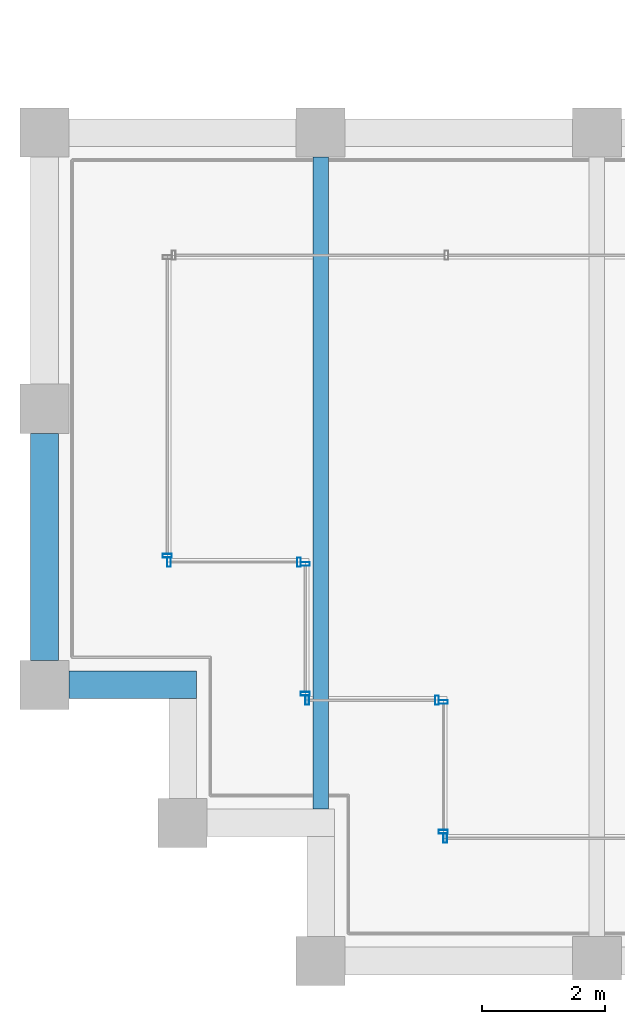
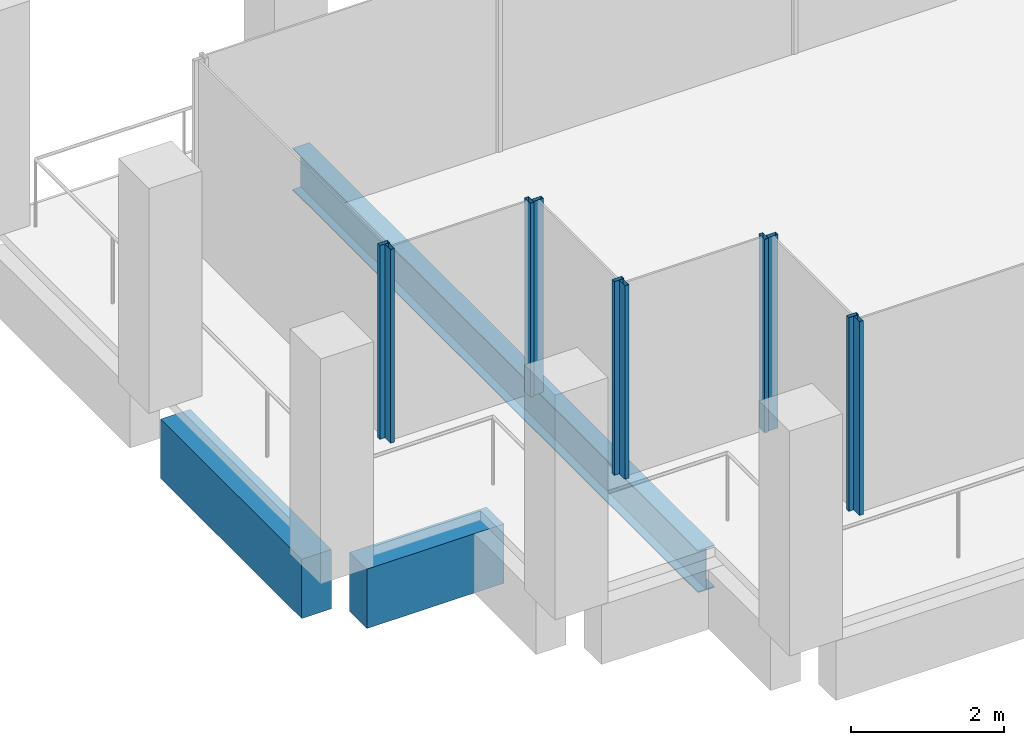
# One storey, part 2 of 40: 10 members, 3 beams, 6 elements without a shape of their own.
"""IFC4 building model written with IfcOpenShell, lengths in metres."""

import ifcopenshell
import ifcopenshell.guid

model = None  # the IFC model being written
_history = None  # IfcOwnerHistory: only IFC2X3 demands one
_inside = {}  # id of a spatial element -> (the spatial element, [elements in it])
_under = {}  # id of a project, library or spatial element -> (it, [spatial elements below it])
_declared = {}  # id of a project -> (the project, [libraries it declares])
_typed = {}  # id of a type object -> (the type object, [elements of that type])
_made_of = {}  # id of a material, layer set ... -> (it, [elements and type objects made of it])


def new_model(schema):
    """Start an empty IFC model of exactly this schema.

    Asked for "IFC4X3", IfcOpenShell would pick the latest addendum, in which some entities
    have other attributes; the version numbers below select the first issue.
    IFC2X3 requires an IfcOwnerHistory on every rooted entity: one is made here for all.
    """
    global model, _history
    if schema == "IFC4X3":
        model = ifcopenshell.file(schema_version=(4, 3, 0, 0))
    else:
        model = ifcopenshell.file(schema=schema)
    _inside.clear()
    _under.clear()
    _declared.clear()
    _typed.clear()
    _made_of.clear()
    _history = None
    if model.schema == "IFC2X3":
        org = make("IfcOrganization", Name="unknown")
        user = make(
            "IfcPersonAndOrganization",
            ThePerson=make("IfcPerson", FamilyName="unknown"),
            TheOrganization=org,
        )
        app = make(
            "IfcApplication",
            ApplicationDeveloper=org,
            Version="unknown",
            ApplicationFullName="unknown",
            ApplicationIdentifier="unknown",
        )
        _history = make(
            "IfcOwnerHistory",
            OwningUser=user,
            OwningApplication=app,
            ChangeAction="ADDED",
            CreationDate=0,
        )
    return model


def make(cls, **values):
    """One entity of the class cls with the attributes given. An attribute that is None is left unset."""
    return model.create_entity(
        cls, **{name: value for name, value in values.items() if value is not None}
    )


def rooted(cls, **values):
    """An entity with a GlobalId (a new one), such as an element, a storey or a relation."""
    return make(cls, GlobalId=ifcopenshell.guid.new(), OwnerHistory=_history, **values)


def si_unit(unit_type, name, prefix=None):
    """IfcSIUnit, for example si_unit("LENGTHUNIT", "METRE", prefix="MILLI")."""
    return make("IfcSIUnit", UnitType=unit_type, Prefix=prefix, Name=name)


def assignment(units):
    """IfcUnitAssignment: the units of a project."""
    return None if units is None else make("IfcUnitAssignment", Units=units)


def point(xyz):
    """IfcCartesianPoint."""
    return None if xyz is None else make("IfcCartesianPoint", Coordinates=xyz)


def direction(xyz):
    """IfcDirection."""
    return None if xyz is None else make("IfcDirection", DirectionRatios=xyz)


def frame(location, z_axis=None, x_axis=None):
    """IfcAxis2Placement3D, a coordinate frame: its origin and axes. An axis left out is left unset."""
    return make(
        "IfcAxis2Placement3D",
        Location=point(location),
        Axis=direction(z_axis),
        RefDirection=direction(x_axis),
    )


def frame_2d(location, x_axis=None):
    """IfcAxis2Placement2D, a coordinate frame in the plane: its origin and x axis."""
    return make(
        "IfcAxis2Placement2D", Location=point(location), RefDirection=direction(x_axis)
    )


def origin():
    """The frame at (0, 0, 0) with its axes left unset."""
    return frame((0.0, 0.0, 0.0))


def origin_2d():
    """The frame at (0, 0) in the plane with its x axis left unset."""
    return frame_2d((0.0, 0.0))


def place(relative_to, where):
    """IfcLocalPlacement: puts the frame where relative to a parent placement (None: the world)."""
    return make(
        "IfcLocalPlacement", PlacementRelTo=relative_to, RelativePlacement=where
    )


def context(
    kind, dimensions, precision=None, world=None, true_north=None, identifier=None
):
    """IfcGeometricRepresentationContext, for example the 3D "Model" context."""
    return make(
        "IfcGeometricRepresentationContext",
        ContextIdentifier=identifier,
        ContextType=kind,
        CoordinateSpaceDimension=dimensions,
        Precision=precision,
        WorldCoordinateSystem=world,
        TrueNorth=true_north,
    )


def subcontext(parent, identifier, kind, view, scale=None):
    """IfcGeometricRepresentationSubContext, for example "Body" below "Model"."""
    return make(
        "IfcGeometricRepresentationSubContext",
        ContextIdentifier=identifier,
        ContextType=kind,
        ParentContext=parent,
        TargetScale=scale,
        TargetView=view,
    )


def project(units=None, contexts=None):
    """IfcProject with its units and contexts."""
    return rooted(
        "IfcProject",
        Name="project",
        RepresentationContexts=contexts,
        UnitsInContext=assignment(units),
    )


def spatial(cls, under=None, at=None, **own):
    """A site, building, storey or space (cls), placed at a placement, below another one or the project."""
    s = rooted(cls, ObjectPlacement=at, **own)
    if under is not None:
        _under.setdefault(under.id(), (under, []))[1].append(s)
    return s


def profile(cls, at=None, kind="AREA", **sizes):
    """A parametric profile (cls). Its sizes go by their IFC names, for example OverallWidth=200.0."""
    return make(cls, ProfileType=kind, Position=at, **sizes)


def rectangle(**sizes):
    """IfcRectangleProfileDef."""
    return profile("IfcRectangleProfileDef", **sizes)


def hollow_rectangle(**sizes):
    """IfcRectangleHollowProfileDef."""
    return profile("IfcRectangleHollowProfileDef", **sizes)


def i_section(**sizes):
    """IfcIShapeProfileDef."""
    return profile("IfcIShapeProfileDef", **sizes)


def extrude(swept, where, along, depth):
    """IfcExtrudedAreaSolid: the profile swept, set in the frame where, extruded along a direction by depth."""
    return make(
        "IfcExtrudedAreaSolid",
        SweptArea=swept,
        Position=where,
        ExtrudedDirection=direction(along),
        Depth=depth,
    )


def shape(context_of_items, identifier, shape_type, items):
    """IfcShapeRepresentation: the items that make up one representation, for example the "Body"."""
    return make(
        "IfcShapeRepresentation",
        ContextOfItems=context_of_items,
        RepresentationIdentifier=identifier,
        RepresentationType=shape_type,
        Items=items,
    )


def material(Name=None, Category=None):
    """IfcMaterial."""
    return make("IfcMaterial", Name=Name, Category=Category)


def material_profile(
    of_material, cross_section, Name=None, Category=None, Priority=None
):
    """IfcMaterialProfile: a cross section and its material."""
    return make(
        "IfcMaterialProfile",
        Name=Name,
        Material=of_material,
        Profile=cross_section,
        Priority=Priority,
        Category=Category,
    )


def profile_set(profiles, Name=None, composite=None):
    """IfcMaterialProfileSet."""
    return make(
        "IfcMaterialProfileSet",
        Name=Name,
        MaterialProfiles=profiles,
        CompositeProfile=composite,
    )


def made_of(thing, what):
    """Note that an element or type object is made of a material, layer set ...; save() writes the relation."""
    if what is not None:
        _made_of.setdefault(what.id(), (what, []))[1].append(thing)
    return thing


def type_object(cls, material=None, **own):
    """A type object (cls), such as IfcWallType, which elements share."""
    return made_of(rooted(cls, **own), material)


def element(
    cls,
    number,
    at=None,
    inside=None,
    cuts=None,
    type_object=None,
    material=None,
    context=None,
    identifier="Body",
    shape_type=None,
    held_by="IfcProductDefinitionShape",
    body=None,
    shapes=None,
    **own,
):
    """One element of the class cls, such as IfcWall. Its Tag is "e" and its number.

    at: its placement. inside: the storey or other place that contains it. cuts: it is an
    opening in that element (IfcRelVoidsElement). A single representation is given by context,
    identifier, shape_type and body (its items); several are given by shapes. held_by: the class
    of the entity that holds the representations. save() writes the other relations.
    """
    e = rooted(cls, Tag="e%d" % number, ObjectPlacement=at, **own)
    if body is not None:
        shapes = [shape(context, identifier, shape_type, body)]
    if shapes is not None:
        e.Representation = make(held_by, Representations=shapes)
    if inside is not None:
        _inside.setdefault(inside.id(), (inside, []))[1].append(e)
    if cuts is not None:
        rooted(
            "IfcRelVoidsElement", RelatingBuildingElement=cuts, RelatedOpeningElement=e
        )
    if type_object is not None:
        _typed.setdefault(type_object.id(), (type_object, []))[1].append(e)
    return made_of(e, material)


def aggregate(whole, parts):
    """IfcRelAggregates: a whole, such as a stair, and the parts it consists of."""
    return rooted("IfcRelAggregates", RelatingObject=whole, RelatedObjects=parts)


def save(model, path):
    """Write the relations noted so far, then the file.

    IfcRelAggregates (storeys below a building ...), IfcRelContainedInSpatialStructure (elements
    in a storey), IfcRelDefinesByType, IfcRelAssociatesMaterial and IfcRelDeclares: one each for
    every whole, place, type object, material and project.
    """
    for whole, parts in _under.values():
        aggregate(whole, parts)
    for where, things in _inside.values():
        rooted(
            "IfcRelContainedInSpatialStructure",
            RelatedElements=things,
            RelatingStructure=where,
        )
    for kind, things in _typed.values():
        rooted("IfcRelDefinesByType", RelatedObjects=things, RelatingType=kind)
    for what, things in _made_of.values():
        rooted("IfcRelAssociatesMaterial", RelatedObjects=things, RelatingMaterial=what)
    for by, libraries in _declared.values():
        rooted("IfcRelDeclares", RelatingContext=by, RelatedDefinitions=libraries)
    model.write(path)


model = new_model("IFC4")

# Units and contexts
model_context = context("Model", 3, precision=1e-05, world=origin(), true_north=direction((0.0, 1.0)))
body_context = subcontext(model_context, "Body", "Model", "MODEL_VIEW")
ifc_project = project(units=[si_unit("LENGTHUNIT", "METRE"), si_unit("AREAUNIT", "SQUARE_METRE"), si_unit("VOLUMEUNIT", "CUBIC_METRE"), si_unit("PLANEANGLEUNIT", "RADIAN"), si_unit("MASSUNIT", "GRAM", prefix="KILO")], contexts=[model_context])

# Site, building, storey
site_placement = place(None, origin())
site = spatial("IfcSite", under=ifc_project, at=site_placement, CompositionType="ELEMENT")
building_placement = place(site_placement, origin())
building = spatial("IfcBuilding", under=site, at=building_placement, Name="Altepetl Exchange Towers", CompositionType="ELEMENT")
storey_placement = place(building_placement, frame((0.0, 0.0, 199.199951171875)))
storey = spatial("IfcBuildingStorey", under=building, at=storey_placement, Name="L50", CompositionType="ELEMENT", Elevation=199.199951171875)

# Beam
ifc_material_1 = material(Name="Steel S355", Category="steel")
ifc_material_profile_1 = material_profile(ifc_material_1, i_section(OverallWidth=0.2529296875, OverallDepth=0.677978515625, WebThickness=0.01171875, FlangeThickness=0.016357421875, at=origin_2d()), Name="W27X84")
ifc_profile_set_1 = profile_set([ifc_material_profile_1], Name="Steel S355")
beam_type_1 = type_object("IfcBeamType", Name="Floor beam W27X84", PredefinedType="BEAM", material=ifc_profile_set_1)
beam_1_placement = place(storey_placement, frame((31.5, 29.47509765625, -0.489013671875), z_axis=(0.0, 1.0, 0.0), x_axis=(-1.0, 0.0, 0.0)))
element("IfcBeam", 1, at=beam_1_placement, inside=storey, type_object=beam_type_1, Name="bm:A:L50:012", PredefinedType="BEAM", context=body_context, shape_type="SweptSolid", body=[
    extrude(i_section(OverallWidth=0.2529296875, OverallDepth=0.677978515625, WebThickness=0.01171875, FlangeThickness=0.016357421875, at=origin_2d()), origin(), (0.0, 0.0, 1.0), 10.625),
])

# Curtain wall, member
ifc_material_2 = material(Name="Aluminium 6063-T6 glazing", Category="aluminium")
curtain_wall_type = type_object("IfcCurtainWallType", Name="Loggia glazing system", PredefinedType="NOTDEFINED", material=ifc_material_2)
curtain_wall_1_placement = place(storey_placement, origin())
curtain_wall_1 = element("IfcCurtainWall", 2, at=curtain_wall_1_placement, inside=storey, type_object=curtain_wall_type, Name="CW1 run", PredefinedType="NOTDEFINED")
ifc_material_3 = material(Name="Aluminium 6063-T6", Category="aluminium")
ifc_material_profile_2 = material_profile(ifc_material_3, hollow_rectangle(XDim=0.06005859375, YDim=0.14990234375, WallThickness=0.0029296875, at=origin_2d()), Name="Mullion 60x150 aluminium")
ifc_profile_set_2 = profile_set([ifc_material_profile_2], Name="Aluminium 6063-T6")
member_type = type_object("IfcMemberType", Name="Mullion 60x150 aluminium", PredefinedType="MULLION", material=ifc_profile_set_2)
member_1_placement = place(storey_placement, frame((29.0, 33.60498046875, 0.0), z_axis=(0.0, 0.0, 1.0), x_axis=(0.0, -1.0, 0.0)))
member_1 = element("IfcMember", 3, at=member_1_placement, type_object=member_type, Name="MU1 mullion", PredefinedType="MULLION", context=body_context, shape_type="SweptSolid", body=[
    extrude(hollow_rectangle(XDim=0.06005859375, YDim=0.14990234375, WallThickness=0.0029296875, at=origin_2d()), origin(), (0.0, 0.0, 1.0), 3.10009765625),
])
aggregate(curtain_wall_1, [member_1])

# Curtain wall, members
curtain_wall_2_placement = place(storey_placement, origin())
curtain_wall_2 = element("IfcCurtainWall", 4, at=curtain_wall_2_placement, inside=storey, type_object=curtain_wall_type, Name="CW1 run", PredefinedType="NOTDEFINED")
member_2_placement = place(storey_placement, frame((29.030029296875, 33.5, 0.0)))
member_2 = element("IfcMember", 5, at=member_2_placement, type_object=member_type, Name="MU1 mullion", PredefinedType="MULLION", context=body_context, shape_type="SweptSolid", body=[
    extrude(hollow_rectangle(XDim=0.06005859375, YDim=0.14990234375, WallThickness=0.0029296875, at=origin_2d()), origin(), (0.0, 0.0, 1.0), 3.10009765625),
])
member_3_placement = place(storey_placement, frame((31.14501953125, 33.5, 0.0)))
member_3 = element("IfcMember", 6, at=member_3_placement, type_object=member_type, Name="MU1 mullion", PredefinedType="MULLION", context=body_context, shape_type="SweptSolid", body=[
    extrude(hollow_rectangle(XDim=0.06005859375, YDim=0.14990234375, WallThickness=0.0029296875, at=origin_2d()), origin(), (0.0, 0.0, 1.0), 3.10009765625),
])
aggregate(curtain_wall_2, [member_2, member_3])

curtain_wall_3_placement = place(storey_placement, origin())
curtain_wall_3 = element("IfcCurtainWall", 7, at=curtain_wall_3_placement, inside=storey, type_object=curtain_wall_type, Name="CW1 run", PredefinedType="NOTDEFINED")
member_4_placement = place(storey_placement, frame((31.25, 33.469970703125, 0.0), z_axis=(0.0, 0.0, 1.0), x_axis=(0.0, -1.0, 0.0)))
member_4 = element("IfcMember", 8, at=member_4_placement, type_object=member_type, Name="MU1 mullion", PredefinedType="MULLION", context=body_context, shape_type="SweptSolid", body=[
    extrude(hollow_rectangle(XDim=0.06005859375, YDim=0.14990234375, WallThickness=0.0029296875, at=origin_2d()), origin(), (0.0, 0.0, 1.0), 3.10009765625),
])
member_5_placement = place(storey_placement, frame((31.25, 31.35498046875, 0.0), z_axis=(0.0, 0.0, 1.0), x_axis=(0.0, -1.0, 0.0)))
member_5 = element("IfcMember", 9, at=member_5_placement, type_object=member_type, Name="MU1 mullion", PredefinedType="MULLION", context=body_context, shape_type="SweptSolid", body=[
    extrude(hollow_rectangle(XDim=0.06005859375, YDim=0.14990234375, WallThickness=0.0029296875, at=origin_2d()), origin(), (0.0, 0.0, 1.0), 3.10009765625),
])
aggregate(curtain_wall_3, [member_4, member_5])

curtain_wall_4_placement = place(storey_placement, origin())
curtain_wall_4 = element("IfcCurtainWall", 10, at=curtain_wall_4_placement, inside=storey, type_object=curtain_wall_type, Name="CW1 run", PredefinedType="NOTDEFINED")
member_6_placement = place(storey_placement, frame((31.280029296875, 31.25, 0.0)))
member_6 = element("IfcMember", 11, at=member_6_placement, type_object=member_type, Name="MU1 mullion", PredefinedType="MULLION", context=body_context, shape_type="SweptSolid", body=[
    extrude(hollow_rectangle(XDim=0.06005859375, YDim=0.14990234375, WallThickness=0.0029296875, at=origin_2d()), origin(), (0.0, 0.0, 1.0), 3.10009765625),
])
member_7_placement = place(storey_placement, frame((33.39501953125, 31.25, 0.0)))
member_7 = element("IfcMember", 12, at=member_7_placement, type_object=member_type, Name="MU1 mullion", PredefinedType="MULLION", context=body_context, shape_type="SweptSolid", body=[
    extrude(hollow_rectangle(XDim=0.06005859375, YDim=0.14990234375, WallThickness=0.0029296875, at=origin_2d()), origin(), (0.0, 0.0, 1.0), 3.10009765625),
])
aggregate(curtain_wall_4, [member_6, member_7])

curtain_wall_5_placement = place(storey_placement, origin())
curtain_wall_5 = element("IfcCurtainWall", 13, at=curtain_wall_5_placement, inside=storey, type_object=curtain_wall_type, Name="CW1 run", PredefinedType="NOTDEFINED")
member_8_placement = place(storey_placement, frame((33.5, 31.219970703125, 0.0), z_axis=(0.0, 0.0, 1.0), x_axis=(0.0, -1.0, 0.0)))
member_8 = element("IfcMember", 14, at=member_8_placement, type_object=member_type, Name="MU1 mullion", PredefinedType="MULLION", context=body_context, shape_type="SweptSolid", body=[
    extrude(hollow_rectangle(XDim=0.06005859375, YDim=0.14990234375, WallThickness=0.0029296875, at=origin_2d()), origin(), (0.0, 0.0, 1.0), 3.10009765625),
])
member_9_placement = place(storey_placement, frame((33.5, 29.10498046875, 0.0), z_axis=(0.0, 0.0, 1.0), x_axis=(0.0, -1.0, 0.0)))
member_9 = element("IfcMember", 15, at=member_9_placement, type_object=member_type, Name="MU1 mullion", PredefinedType="MULLION", context=body_context, shape_type="SweptSolid", body=[
    extrude(hollow_rectangle(XDim=0.06005859375, YDim=0.14990234375, WallThickness=0.0029296875, at=origin_2d()), origin(), (0.0, 0.0, 1.0), 3.10009765625),
])
aggregate(curtain_wall_5, [member_8, member_9])

# Curtain wall, member
curtain_wall_6_placement = place(storey_placement, origin())
curtain_wall_6 = element("IfcCurtainWall", 16, at=curtain_wall_6_placement, inside=storey, type_object=curtain_wall_type, Name="CW1 run", PredefinedType="NOTDEFINED")
member_10_placement = place(storey_placement, frame((33.530029296875, 29.0, 0.0)))
member_10 = element("IfcMember", 17, at=member_10_placement, type_object=member_type, Name="MU1 mullion", PredefinedType="MULLION", context=body_context, shape_type="SweptSolid", body=[
    extrude(hollow_rectangle(XDim=0.06005859375, YDim=0.14990234375, WallThickness=0.0029296875, at=origin_2d()), origin(), (0.0, 0.0, 1.0), 3.10009765625),
])
aggregate(curtain_wall_6, [member_10])

# Beams
ifc_material_4 = material(Name="Concrete C50/60 precast with cantera blanca facing", Category="concrete")
ifc_material_profile_3 = material_profile(ifc_material_4, rectangle(XDim=0.449951171875, YDim=0.949951171875, at=origin_2d()), Name="450 x 950")
ifc_profile_set_3 = profile_set([ifc_material_profile_3], Name="Concrete C50/60 precast with cantera blanca facing")
beam_type_2 = type_object("IfcBeamType", Name="Spandrel beam 450x950 cantera blanca", PredefinedType="SPANDREL", material=ifc_profile_set_3)
beam_2_placement = place(storey_placement, frame((27.0, 35.60009765625, -0.625), z_axis=(0.0, -1.0, 0.0), x_axis=(1.0, 0.0, 0.0)))
element("IfcBeam", 18, at=beam_2_placement, inside=storey, type_object=beam_type_2, Name="sp:A:L50:037", PredefinedType="SPANDREL", context=body_context, shape_type="SweptSolid", body=[
    extrude(rectangle(XDim=0.449951171875, YDim=0.949951171875, at=origin_2d()), origin(), (0.0, 0.0, 1.0), 3.7001953125),
])
beam_3_placement = place(storey_placement, frame((27.39990234375, 31.5, -0.625), z_axis=(1.0, 0.0, 0.0), x_axis=(0.0, 1.0, 0.0)))
element("IfcBeam", 19, at=beam_3_placement, inside=storey, type_object=beam_type_2, Name="sp:A:L50:038", PredefinedType="SPANDREL", context=body_context, shape_type="SweptSolid", body=[
    extrude(rectangle(XDim=0.449951171875, YDim=0.949951171875, at=origin_2d()), origin(), (0.0, 0.0, 1.0), 2.0751953125),
])

save(model, "model.ifc")
